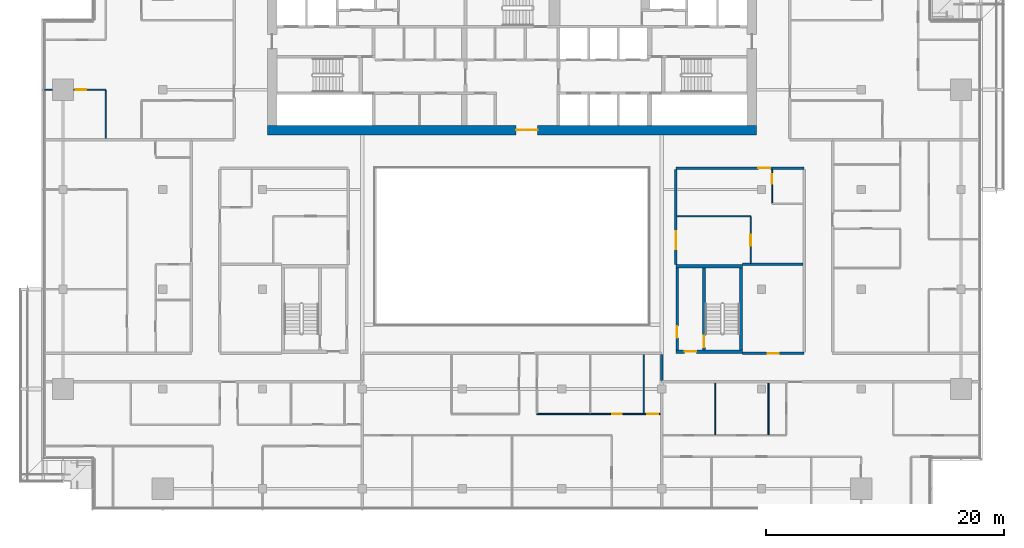
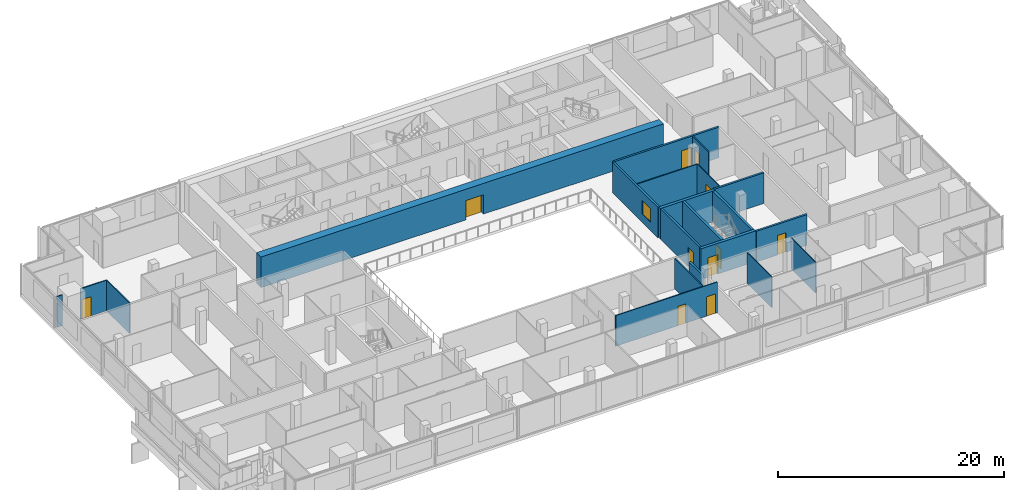
# One storey, part 18 of 29: 21 walls, 11 doors, 1 window, 12 openings.
"""IFC4 building model written with IfcOpenShell, lengths in metres."""

from ifc_helpers import new_model, si_unit, direction, frame, frame_2d, origin, place, context, subcontext, project, spatial, rectangle, extrude, material, layer, layer_set, type_object, element, fill, save


model = new_model("IFC4")

# Units and contexts
model_context = context("Model", 3, precision=1e-05, world=origin(), true_north=direction((0.0, 1.0)))
body_context = subcontext(model_context, "Body", "Model", "MODEL_VIEW")
ifc_project = project(units=[si_unit("LENGTHUNIT", "METRE"), si_unit("AREAUNIT", "SQUARE_METRE"), si_unit("VOLUMEUNIT", "CUBIC_METRE"), si_unit("PLANEANGLEUNIT", "RADIAN"), si_unit("MASSUNIT", "GRAM", prefix="KILO")], contexts=[model_context])

# Site, building, storey
site_placement = place(None, origin())
site = spatial("IfcSite", under=ifc_project, at=site_placement, CompositionType="ELEMENT")
building_placement = place(site_placement, origin())
building = spatial("IfcBuilding", under=site, at=building_placement, Name="Saffron Gate Tower", CompositionType="ELEMENT")
storey_placement = place(building_placement, frame((0.0, 0.0, 187.050048828125)))
storey = spatial("IfcBuildingStorey", under=building, at=storey_placement, Name="L46", CompositionType="ELEMENT", Elevation=187.050048828125)

# Wall, opening, door
ifc_material_1 = material(Name="Gypsum board partition on steel studs", Category="steel")
ifc_layer_1 = layer(ifc_material_1, 0.199951171875)
ifc_layer_set_1 = layer_set([ifc_layer_1], Name="CW10 Core partition 200")
wall_type_1 = type_object("IfcWallType", Name="CW10 Core partition 200", PredefinedType="PARTITIONING", material=ifc_layer_set_1)
wall_1_placement = place(storey_placement, frame((101.5, 43.5, 0.0), z_axis=(0.0, 0.0, 1.0), x_axis=(0.0, 1.0, 0.0)))
wall_1 = element("IfcWall", 1, at=wall_1_placement, inside=storey, type_object=wall_type_1, Name="Wall CW10-L46-E-2", PredefinedType="PARTITIONING", context=body_context, shape_type="SweptSolid", body=[
    extrude(rectangle(XDim=6.89990234375, YDim=0.199951171875, at=frame_2d((3.449951171875, 0.0))), origin(), (0.0, 0.0, 1.0), 3.320068359375),
])
opening_1_placement = place(wall_1_placement, frame((1.0, 0.0, 0.0)))
opening_1 = element("IfcOpeningElement", 2, at=opening_1_placement, cuts=wall_1, Name="Opening CR-22", PredefinedType="OPENING", context=body_context, shape_type="SweptSolid", body=[
    extrude(rectangle(XDim=1.0, YDim=2.10009765625, at=frame_2d((0.5, 1.050048828125))), frame((0.0, 0.10986328125, 0.0), z_axis=(0.0, -1.0, 0.0), x_axis=(1.0, 0.0, 0.0)), (0.0, 0.0, 1.0), 0.219970703125),
])
ifc_material_2 = material(Name="Steel fire door set", Category="steel")
door_type_1 = type_object("IfcDoorType", Name="CD4 Lobby door 1000x2100 EI 120", OperationType="NOTDEFINED", PredefinedType="DOOR", material=ifc_material_2)
door_1_placement = place(opening_1_placement, origin())
door_1 = element("IfcDoor", 3, at=door_1_placement, inside=storey, type_object=door_type_1, Name="DOOR CR-22", OperationType="SINGLE_SWING_LEFT", OverallHeight=2.10009765625, OverallWidth=1.0, PredefinedType="DOOR", context=body_context, shape_type="SweptSolid", body=[
    extrude(rectangle(XDim=1.0, YDim=2.10009765625, at=frame_2d((0.5, 1.050048828125))), frame((0.0, 0.02490234375, 0.0), z_axis=(0.0, -1.0, 0.0), x_axis=(1.0, 0.0, 0.0)), (0.0, 0.0, 1.0), 0.050048828125),
])
fill(opening_1, door_1)

ifc_material_3 = material(Name="Concrete C60", Category="concrete")
ifc_layer_2 = layer(ifc_material_3, 0.800048828125)
ifc_layer_set_2 = layer_set([ifc_layer_2], Name="CW13 RC core wall 800 C60")
wall_type_2 = type_object("IfcWallType", Name="CW13 RC core wall 800 C60", PredefinedType="SOLIDWALL", material=ifc_layer_set_2)
wall_2_placement = place(storey_placement, frame((67.0, 62.0, 0.0), z_axis=(0.0, 0.0, 1.0), x_axis=(1.0, 0.0, 0.0)))
wall_2 = element("IfcWall", 4, at=wall_2_placement, inside=storey, type_object=wall_type_2, Name="Wall CW13-L46-1", PredefinedType="SOLIDWALL", context=body_context, shape_type="SweptSolid", body=[
    extrude(rectangle(XDim=41.199951171875, YDim=0.800048828125, at=frame_2d((20.60009765625, 0.0))), origin(), (0.0, 0.0, 1.0), 3.320068359375),
])
opening_2_placement = place(wall_2_placement, frame((20.949951171875, 0.0, 0.0)))
opening_2 = element("IfcOpeningElement", 5, at=opening_2_placement, cuts=wall_2, Name="Opening CR-09", PredefinedType="OPENING", context=body_context, shape_type="SweptSolid", body=[
    extrude(rectangle(XDim=1.800048828125, YDim=2.10009765625, at=frame_2d((0.89990234375, 1.050048828125))), frame((0.0, 0.41015625, 0.0), z_axis=(0.0, -1.0, 0.0), x_axis=(1.0, 0.0, 0.0)), (0.0, 0.0, 1.0), 0.820068359375),
])
door_type_2 = type_object("IfcDoorType", Name="CD1 Core entrance door 1800x2100 EI 120", OperationType="NOTDEFINED", PredefinedType="DOOR", material=ifc_material_2)
door_2_placement = place(opening_2_placement, origin())
door_2 = element("IfcDoor", 6, at=door_2_placement, inside=storey, type_object=door_type_2, Name="DOOR CR-09", OperationType="DOUBLE_DOOR_SINGLE_SWING", OverallHeight=2.10009765625, OverallWidth=1.800048828125, PredefinedType="DOOR", context=body_context, shape_type="SweptSolid", body=[
    extrude(rectangle(XDim=1.800048828125, YDim=2.10009765625, at=frame_2d((0.89990234375, 1.050048828125))), frame((0.0, 0.02490234375, 0.0), z_axis=(0.0, -1.0, 0.0), x_axis=(1.0, 0.0, 0.0)), (0.0, 0.0, 1.0), 0.050048828125),
])
fill(opening_2, door_2)

ifc_layer_3 = layer(ifc_material_3, 0.25)
ifc_layer_set_3 = layer_set([ifc_layer_3], Name="CW14 RC core wall 250 C60")
wall_type_3 = type_object("IfcWallType", Name="CW14 RC core wall 250 C60", PredefinedType="SOLIDWALL", material=ifc_layer_set_3)
wall_3_placement = place(storey_placement, frame((103.77490234375, 43.5, 0.0), z_axis=(0.0, 0.0, 1.0), x_axis=(0.0, 1.0, 0.0)))
wall_3 = element("IfcWall", 7, at=wall_3_placement, inside=storey, type_object=wall_type_3, Name="Wall CW14-L46-E-3", PredefinedType="SOLIDWALL", context=body_context, shape_type="SweptSolid", body=[
    extrude(rectangle(XDim=6.89990234375, YDim=0.25, at=frame_2d((3.449951171875, 0.0))), origin(), (0.0, 0.0, 1.0), 3.320068359375),
])
opening_3_placement = place(wall_3_placement, frame((0.199951171875, 0.0, 0.0)))
opening_3 = element("IfcOpeningElement", 8, at=opening_3_placement, cuts=wall_3, Name="Opening CR-23", PredefinedType="OPENING", context=body_context, shape_type="SweptSolid", body=[
    extrude(rectangle(XDim=1.0, YDim=2.10009765625, at=frame_2d((0.5, 1.050048828125))), frame((0.0, 0.135009765625, 0.0), z_axis=(0.0, -1.0, 0.0), x_axis=(1.0, 0.0, 0.0)), (0.0, 0.0, 1.0), 0.27001953125),
])
door_type_3 = type_object("IfcDoorType", Name="CD5 Stair door 1000x2100 EI 120", OperationType="NOTDEFINED", PredefinedType="DOOR", material=ifc_material_2)
door_3_placement = place(opening_3_placement, origin())
door_3 = element("IfcDoor", 9, at=door_3_placement, inside=storey, type_object=door_type_3, Name="DOOR CR-23", OperationType="SINGLE_SWING_RIGHT", OverallHeight=2.10009765625, OverallWidth=1.0, PredefinedType="DOOR", context=body_context, shape_type="SweptSolid", body=[
    extrude(rectangle(XDim=1.0, YDim=2.10009765625, at=frame_2d((0.5, 1.050048828125))), frame((0.0, 0.02490234375, 0.0), z_axis=(0.0, -1.0, 0.0), x_axis=(1.0, 0.0, 0.0)), (0.0, 0.0, 1.0), 0.050048828125),
])
fill(opening_3, door_3)

# Wall
wall_4_placement = place(storey_placement, frame((106.875, 43.5, 0.0), z_axis=(0.0, 0.0, 1.0), x_axis=(0.0, 1.0, 0.0)))
element("IfcWall", 10, at=wall_4_placement, inside=storey, type_object=wall_type_3, Name="Wall CW14-L46-E-4", PredefinedType="SOLIDWALL", context=body_context, shape_type="SweptSolid", body=[
    extrude(rectangle(XDim=6.89990234375, YDim=0.25, at=frame_2d((3.449951171875, 0.0))), origin(), (0.0, 0.0, 1.0), 3.320068359375),
])

# Wall, opening, door
ifc_layer_4 = layer(ifc_material_3, 0.300048828125)
ifc_layer_set_4 = layer_set([ifc_layer_4], Name="CW17 RC core wall 300 C60")
wall_type_4 = type_object("IfcWallType", Name="CW17 RC core wall 300 C60", PredefinedType="SOLIDWALL", material=ifc_layer_set_4)
wall_5_placement = place(storey_placement, frame((101.39990234375, 43.35009765625, 0.0), z_axis=(0.0, 0.0, 1.0), x_axis=(1.0, 0.0, 0.0)))
wall_5 = element("IfcWall", 11, at=wall_5_placement, inside=storey, type_object=wall_type_4, Name="Wall CW17-L46-E-1", PredefinedType="SOLIDWALL", context=body_context, shape_type="SweptSolid", body=[
    extrude(rectangle(XDim=5.60009765625, YDim=0.300048828125, at=frame_2d((2.800048828125, 0.0))), origin(), (0.0, 0.0, 1.0), 3.320068359375),
])
opening_4_placement = place(wall_5_placement, frame((0.72509765625, 0.0, 0.0)))
opening_4 = element("IfcOpeningElement", 12, at=opening_4_placement, cuts=wall_5, Name="Opening CR-21", PredefinedType="OPENING", context=body_context, shape_type="SweptSolid", body=[
    extrude(rectangle(XDim=1.0, YDim=2.10009765625, at=frame_2d((0.5, 1.050048828125))), frame((0.0, 0.16015625, 0.0), z_axis=(0.0, -1.0, 0.0), x_axis=(1.0, 0.0, 0.0)), (0.0, 0.0, 1.0), 0.320068359375),
])
door_4_placement = place(opening_4_placement, origin())
door_4 = element("IfcDoor", 13, at=door_4_placement, inside=storey, type_object=door_type_1, Name="DOOR CR-21", OperationType="SINGLE_SWING_RIGHT", OverallHeight=2.10009765625, OverallWidth=1.0, PredefinedType="DOOR", context=body_context, shape_type="SweptSolid", body=[
    extrude(rectangle(XDim=1.0, YDim=2.10009765625, at=frame_2d((0.5, 1.050048828125))), frame((0.0, 0.02490234375, 0.0), z_axis=(0.0, -1.0, 0.0), x_axis=(1.0, 0.0, 0.0)), (0.0, 0.0, 1.0), 0.050048828125),
])
fill(opening_4, door_4)

# Wall
wall_6_placement = place(storey_placement, frame((101.39990234375, 50.550048828125, 0.0), z_axis=(0.0, 0.0, 1.0), x_axis=(1.0, 0.0, 0.0)))
element("IfcWall", 14, at=wall_6_placement, inside=storey, type_object=wall_type_4, Name="Wall CW17-L46-E-5", PredefinedType="SOLIDWALL", context=body_context, shape_type="SweptSolid", body=[
    extrude(rectangle(XDim=5.60009765625, YDim=0.300048828125, at=frame_2d((2.800048828125, 0.0))), origin(), (0.0, 0.0, 1.0), 3.320068359375),
])

# Wall, openings, doors
ifc_material_4 = material(Name="Plasterboard on steel studs", Category="steel")
ifc_layer_5 = layer(ifc_material_4, 0.10009765625)
ifc_layer_set_5 = layer_set([ifc_layer_5], Name="PW1 Partition 100")
wall_type_5 = type_object("IfcWallType", Name="PW1 Partition 100", PredefinedType="PARTITIONING", material=ifc_layer_set_5)
wall_7_placement = place(storey_placement, frame((89.699951171875, 38.10009765625, 0.0), z_axis=(0.0, 0.0, 1.0), x_axis=(1.0, 0.0, 0.0)))
wall_7 = element("IfcWall", 15, at=wall_7_placement, inside=storey, type_object=wall_type_5, Name="Partition C4-11", PredefinedType="PARTITIONING", context=body_context, shape_type="SweptSolid", body=[
    extrude(rectangle(XDim=10.400146484375, YDim=0.10009765625, at=frame_2d((5.2001953125, 0.0))), origin(), (0.0, 0.0, 1.0), 3.320068359375),
])
opening_5_placement = place(wall_7_placement, frame((6.35009765625, 0.0, 0.0)))
opening_5 = element("IfcOpeningElement", 16, at=opening_5_placement, cuts=wall_7, Name="Opening C4-43", PredefinedType="OPENING", context=body_context, shape_type="SweptSolid", body=[
    extrude(rectangle(XDim=0.800048828125, YDim=2.10009765625, at=frame_2d((0.39990234375, 1.050048828125))), frame((0.0, 0.06005859375, 0.0), z_axis=(0.0, -1.0, 0.0), x_axis=(1.0, 0.0, 0.0)), (0.0, 0.0, 1.0), 0.1201171875),
])
opening_6_placement = place(wall_7_placement, frame((9.300048828125, 0.0, 0.0)))
opening_6 = element("IfcOpeningElement", 17, at=opening_6_placement, cuts=wall_7, Name="Opening C4-19", PredefinedType="OPENING", context=body_context, shape_type="SweptSolid", body=[
    extrude(rectangle(XDim=0.89990234375, YDim=2.10009765625, at=frame_2d((0.449951171875, 1.050048828125))), frame((0.0, 0.06005859375, 0.0), z_axis=(0.0, -1.0, 0.0), x_axis=(1.0, 0.0, 0.0)), (0.0, 0.0, 1.0), 0.1201171875),
])
ifc_material_5 = material(Name="Timber door set", Category="wood")
door_type_4 = type_object("IfcDoorType", Name="RD1 Room door 900x2100", OperationType="NOTDEFINED", PredefinedType="DOOR", material=ifc_material_5)
door_5_placement = place(opening_6_placement, origin())
door_5 = element("IfcDoor", 18, at=door_5_placement, inside=storey, type_object=door_type_4, Name="Door C4-19", OperationType="SINGLE_SWING_RIGHT", OverallHeight=2.10009765625, OverallWidth=0.89990234375, PredefinedType="DOOR", context=body_context, shape_type="SweptSolid", body=[
    extrude(rectangle(XDim=0.89990234375, YDim=2.10009765625, at=frame_2d((0.449951171875, 1.050048828125))), frame((0.0, 0.02490234375, 0.0), z_axis=(0.0, -1.0, 0.0), x_axis=(1.0, 0.0, 0.0)), (0.0, 0.0, 1.0), 0.050048828125),
])
fill(opening_6, door_5)
door_type_5 = type_object("IfcDoorType", Name="RD2 Bathroom door 800x2100", OperationType="NOTDEFINED", PredefinedType="DOOR", material=ifc_material_5)
door_6_placement = place(opening_5_placement, origin())
door_6 = element("IfcDoor", 19, at=door_6_placement, inside=storey, type_object=door_type_5, Name="Door C4-43", OperationType="SINGLE_SWING_LEFT", OverallHeight=2.10009765625, OverallWidth=0.800048828125, PredefinedType="DOOR", context=body_context, shape_type="SweptSolid", body=[
    extrude(rectangle(XDim=0.800048828125, YDim=2.10009765625, at=frame_2d((0.39990234375, 1.050048828125))), frame((0.0, 0.02490234375, 0.0), z_axis=(0.0, -1.0, 0.0), x_axis=(1.0, 0.0, 0.0)), (0.0, 0.0, 1.0), 0.050048828125),
])
fill(opening_5, door_6)

# Walls
wall_8_placement = place(storey_placement, frame((101.5, 54.75, 0.0), z_axis=(0.0, 0.0, 1.0), x_axis=(1.0, 0.0, 0.0)))
element("IfcWall", 20, at=wall_8_placement, inside=storey, type_object=wall_type_5, Name="Partition C4-33", PredefinedType="PARTITIONING", context=body_context, shape_type="SweptSolid", body=[
    extrude(rectangle(XDim=6.199951171875, YDim=0.10009765625, at=frame_2d((3.10009765625, 0.0))), origin(), (0.0, 0.0, 1.0), 3.320068359375),
])
wall_9_placement = place(storey_placement, frame((48.280029296875, 65.39990234375, 0.0), z_axis=(0.0, 0.0, 1.0), x_axis=(1.0, 0.0, 0.0)))
element("IfcWall", 21, at=wall_9_placement, inside=storey, type_object=wall_type_5, Name="Partition C4-49", PredefinedType="PARTITIONING", context=body_context, shape_type="SweptSolid", body=[
    extrude(rectangle(XDim=0.599853515625, YDim=0.10009765625, at=frame_2d((0.2998046875, 0.0))), origin(), (0.0, 0.0, 1.0), 3.320068359375),
])

# Wall, opening, door
wall_10_placement = place(storey_placement, frame((53.39990234375, 65.39990234375, 0.0), z_axis=(0.0, 0.0, 1.0), x_axis=(-1.0, 0.0, 0.0)))
wall_10 = element("IfcWall", 22, at=wall_10_placement, inside=storey, type_object=wall_type_5, Name="Partition C4-50", PredefinedType="PARTITIONING", context=body_context, shape_type="SweptSolid", body=[
    extrude(rectangle(XDim=2.679931640625, YDim=0.10009765625, at=frame_2d((1.33984375, 0.0))), origin(), (0.0, 0.0, 1.0), 3.320068359375),
])
opening_7_placement = place(wall_10_placement, frame((1.6298828125, 0.0, 0.0)))
opening_7 = element("IfcOpeningElement", 23, at=opening_7_placement, cuts=wall_10, Name="Opening C4-29", PredefinedType="OPENING", context=body_context, shape_type="SweptSolid", body=[
    extrude(rectangle(XDim=0.89990234375, YDim=2.10009765625, at=frame_2d((0.449951171875, 1.050048828125))), frame((0.0, 0.06005859375, 0.0), z_axis=(0.0, -1.0, 0.0), x_axis=(1.0, 0.0, 0.0)), (0.0, 0.0, 1.0), 0.1201171875),
])
door_7_placement = place(opening_7_placement, origin())
door_7 = element("IfcDoor", 24, at=door_7_placement, inside=storey, type_object=door_type_4, Name="Door C4-29", OperationType="SINGLE_SWING_RIGHT", OverallHeight=2.10009765625, OverallWidth=0.89990234375, PredefinedType="DOOR", context=body_context, shape_type="SweptSolid", body=[
    extrude(rectangle(XDim=0.89990234375, YDim=2.10009765625, at=frame_2d((0.449951171875, 1.050048828125))), frame((0.0, 0.02490234375, 0.0), z_axis=(0.0, -1.0, 0.0), x_axis=(1.0, 0.0, 0.0)), (0.0, 0.0, 1.0), 0.050048828125),
])
fill(opening_7, door_7)

# Walls
wall_11_placement = place(storey_placement, frame((53.39990234375, 65.35009765625, 0.0), z_axis=(0.0, 0.0, 1.0), x_axis=(0.0, -1.0, 0.0)))
element("IfcWall", 25, at=wall_11_placement, inside=storey, type_object=wall_type_5, Name="Partition C4-57", PredefinedType="PARTITIONING", context=body_context, shape_type="SweptSolid", body=[
    extrude(rectangle(XDim=4.050048828125, YDim=0.10009765625, at=frame_2d((2.02490234375, 0.0))), origin(), (0.0, 0.0, 1.0), 3.320068359375),
])
wall_12_placement = place(storey_placement, frame((98.699951171875, 43.10009765625, 0.0), z_axis=(0.0, 0.0, 1.0), x_axis=(0.0, -1.0, 0.0)))
element("IfcWall", 26, at=wall_12_placement, inside=storey, type_object=wall_type_5, Name="Partition C4-89", PredefinedType="PARTITIONING", context=body_context, shape_type="SweptSolid", body=[
    extrude(rectangle(XDim=4.9501953125, YDim=0.10009765625, at=frame_2d((2.47509765625, 0.0))), origin(), (0.0, 0.0, 1.0), 3.320068359375),
])
wall_13_placement = place(storey_placement, frame((104.699951171875, 40.699951171875, 0.0), z_axis=(0.0, 0.0, 1.0), x_axis=(0.0, -1.0, 0.0)))
element("IfcWall", 27, at=wall_13_placement, inside=storey, type_object=wall_type_5, Name="Partition C4-95", PredefinedType="PARTITIONING", context=body_context, shape_type="SweptSolid", body=[
    extrude(rectangle(XDim=4.349853515625, YDim=0.10009765625, at=frame_2d((2.1748046875, 0.0))), origin(), (0.0, 0.0, 1.0), 3.320068359375),
])

# Wall, opening, door
wall_14_placement = place(storey_placement, frame((107.699951171875, 50.800048828125, 0.0), z_axis=(0.0, 0.0, 1.0), x_axis=(0.0, 1.0, 0.0)))
wall_14 = element("IfcWall", 28, at=wall_14_placement, inside=storey, type_object=wall_type_5, Name="Partition C4-96", PredefinedType="PARTITIONING", context=body_context, shape_type="SweptSolid", body=[
    extrude(rectangle(XDim=3.89990234375, YDim=0.10009765625, at=frame_2d((1.949951171875, 0.0))), origin(), (0.0, 0.0, 1.0), 3.320068359375),
])
opening_8_placement = place(wall_14_placement, frame((1.47509765625, 0.0, 0.0)))
opening_8 = element("IfcOpeningElement", 29, at=opening_8_placement, cuts=wall_14, Name="Opening C4-39", PredefinedType="OPENING", context=body_context, shape_type="SweptSolid", body=[
    extrude(rectangle(XDim=0.89990234375, YDim=2.10009765625, at=frame_2d((0.449951171875, 1.050048828125))), frame((0.0, 0.06005859375, 0.0), z_axis=(0.0, -1.0, 0.0), x_axis=(1.0, 0.0, 0.0)), (0.0, 0.0, 1.0), 0.1201171875),
])
door_8_placement = place(opening_8_placement, origin())
door_8 = element("IfcDoor", 30, at=door_8_placement, inside=storey, type_object=door_type_4, Name="Door C4-39", OperationType="SINGLE_SWING_LEFT", OverallHeight=2.10009765625, OverallWidth=0.89990234375, PredefinedType="DOOR", context=body_context, shape_type="SweptSolid", body=[
    extrude(rectangle(XDim=0.89990234375, YDim=2.10009765625, at=frame_2d((0.449951171875, 1.050048828125))), frame((0.0, 0.02490234375, 0.0), z_axis=(0.0, -1.0, 0.0), x_axis=(1.0, 0.0, 0.0)), (0.0, 0.0, 1.0), 0.050048828125),
])
fill(opening_8, door_8)

# Wall
wall_15_placement = place(storey_placement, frame((109.199951171875, 40.699951171875, 0.0), z_axis=(0.0, 0.0, 1.0), x_axis=(0.0, -1.0, 0.0)))
element("IfcWall", 31, at=wall_15_placement, inside=storey, type_object=wall_type_5, Name="Partition C4-97", PredefinedType="PARTITIONING", context=body_context, shape_type="SweptSolid", body=[
    extrude(rectangle(XDim=4.349853515625, YDim=0.10009765625, at=frame_2d((2.1748046875, 0.0))), origin(), (0.0, 0.0, 1.0), 3.320068359375),
])

# Wall, opening, door
wall_16_placement = place(storey_placement, frame((109.5, 58.699951171875, 0.0), z_axis=(0.0, 0.0, 1.0), x_axis=(0.0, -1.0, 0.0)))
wall_16 = element("IfcWall", 32, at=wall_16_placement, inside=storey, type_object=wall_type_5, Name="Partition C4-98", PredefinedType="PARTITIONING", context=body_context, shape_type="SweptSolid", body=[
    extrude(rectangle(XDim=2.849853515625, YDim=0.10009765625, at=frame_2d((1.4248046875, 0.0))), origin(), (0.0, 0.0, 1.0), 3.320068359375),
])
opening_9_placement = place(wall_16_placement, frame((0.39990234375, 0.0, 0.0)))
opening_9 = element("IfcOpeningElement", 33, at=opening_9_placement, cuts=wall_16, Name="Opening C4-53", PredefinedType="OPENING", context=body_context, shape_type="SweptSolid", body=[
    extrude(rectangle(XDim=0.800048828125, YDim=2.10009765625, at=frame_2d((0.39990234375, 1.050048828125))), frame((0.0, 0.06005859375, 0.0), z_axis=(0.0, -1.0, 0.0), x_axis=(1.0, 0.0, 0.0)), (0.0, 0.0, 1.0), 0.1201171875),
])
door_9_placement = place(opening_9_placement, origin())
door_9 = element("IfcDoor", 34, at=door_9_placement, inside=storey, type_object=door_type_5, Name="Door C4-53", OperationType="SINGLE_SWING_LEFT", OverallHeight=2.10009765625, OverallWidth=0.800048828125, PredefinedType="DOOR", context=body_context, shape_type="SweptSolid", body=[
    extrude(rectangle(XDim=0.800048828125, YDim=2.10009765625, at=frame_2d((0.39990234375, 1.050048828125))), frame((0.0, 0.02490234375, 0.0), z_axis=(0.0, -1.0, 0.0), x_axis=(1.0, 0.0, 0.0)), (0.0, 0.0, 1.0), 0.050048828125),
])
fill(opening_9, door_9)

# Wall
ifc_material_6 = material(Name="Clay brick masonry, rendered", Category="masonry")
ifc_layer_6 = layer(ifc_material_6, 0.199951171875)
ifc_layer_set_6 = layer_set([ifc_layer_6], Name="PW2 Demising wall 200")
wall_type_6 = type_object("IfcWallType", Name="PW2 Demising wall 200", PredefinedType="PARTITIONING", material=ifc_layer_set_6)
wall_17_placement = place(storey_placement, frame((107.0, 50.699951171875, 0.0), z_axis=(0.0, 0.0, 1.0), x_axis=(1.0, 0.0, 0.0)))
element("IfcWall", 35, at=wall_17_placement, inside=storey, type_object=wall_type_6, Name="Wall C4-28", PredefinedType="PARTITIONING", context=body_context, shape_type="SweptSolid", body=[
    extrude(rectangle(XDim=5.10009765625, YDim=0.199951171875, at=frame_2d((2.550048828125, 0.0))), origin(), (0.0, 0.0, 1.0), 3.320068359375),
])

# Wall, opening, door
ifc_layer_7 = layer(ifc_material_6, 0.199951171875)
ifc_layer_set_7 = layer_set([ifc_layer_7], Name="PW3 Corridor wall 200")
wall_type_7 = type_object("IfcWallType", Name="PW3 Corridor wall 200", PredefinedType="PARTITIONING", material=ifc_layer_set_7)
wall_18_placement = place(storey_placement, frame((107.0, 43.199951171875, 0.0), z_axis=(0.0, 0.0, 1.0), x_axis=(1.0, 0.0, 0.0)))
wall_18 = element("IfcWall", 36, at=wall_18_placement, inside=storey, type_object=wall_type_7, Name="Wall C4-19", PredefinedType="PARTITIONING", context=body_context, shape_type="SweptSolid", body=[
    extrude(rectangle(XDim=5.199951171875, YDim=0.199951171875, at=frame_2d((2.60009765625, 0.0))), origin(), (0.0, 0.0, 1.0), 3.320068359375),
])
opening_10_placement = place(wall_18_placement, frame((2.14990234375, 0.0, 0.0)))
opening_10 = element("IfcOpeningElement", 37, at=opening_10_placement, cuts=wall_18, Name="Opening C4-54", PredefinedType="OPENING", context=body_context, shape_type="SweptSolid", body=[
    extrude(rectangle(XDim=0.89990234375, YDim=2.10009765625, at=frame_2d((0.449951171875, 1.050048828125))), frame((0.0, 0.10986328125, 0.0), z_axis=(0.0, -1.0, 0.0), x_axis=(1.0, 0.0, 0.0)), (0.0, 0.0, 1.0), 0.219970703125),
])
door_type_6 = type_object("IfcDoorType", Name="SD1 Service door 900x2100", OperationType="NOTDEFINED", PredefinedType="DOOR", material=ifc_material_2)
door_10_placement = place(opening_10_placement, origin())
door_10 = element("IfcDoor", 38, at=door_10_placement, inside=storey, type_object=door_type_6, Name="Door C4-54", OperationType="SINGLE_SWING_LEFT", OverallHeight=2.10009765625, OverallWidth=0.89990234375, PredefinedType="DOOR", context=body_context, shape_type="SweptSolid", body=[
    extrude(rectangle(XDim=0.89990234375, YDim=2.10009765625, at=frame_2d((0.449951171875, 1.050048828125))), frame((0.0, 0.02490234375, 0.0), z_axis=(0.0, -1.0, 0.0), x_axis=(1.0, 0.0, 0.0)), (0.0, 0.0, 1.0), 0.050048828125),
])
fill(opening_10, door_10)

wall_19_placement = place(storey_placement, frame((112.199951171875, 58.800048828125, 0.0), z_axis=(0.0, 0.0, 1.0), x_axis=(-1.0, 0.0, 0.0)))
wall_19 = element("IfcWall", 39, at=wall_19_placement, inside=storey, type_object=wall_type_7, Name="Wall C4-40", PredefinedType="PARTITIONING", context=body_context, shape_type="SweptSolid", body=[
    extrude(rectangle(XDim=10.800048828125, YDim=0.199951171875, at=frame_2d((5.39990234375, 0.0))), origin(), (0.0, 0.0, 1.0), 3.320068359375),
])
opening_11_placement = place(wall_19_placement, frame((2.85009765625, 0.0, 0.0)))
opening_11 = element("IfcOpeningElement", 40, at=opening_11_placement, cuts=wall_19, Name="Opening C4-9", PredefinedType="OPENING", context=body_context, shape_type="SweptSolid", body=[
    extrude(rectangle(XDim=1.0, YDim=2.10009765625, at=frame_2d((0.5, 1.050048828125))), frame((0.0, 0.10986328125, 0.0), z_axis=(0.0, -1.0, 0.0), x_axis=(1.0, 0.0, 0.0)), (0.0, 0.0, 1.0), 0.219970703125),
])
ifc_material_7 = material(Name="Timber fire door set", Category="wood")
door_type_7 = type_object("IfcDoorType", Name="FD1 Flat entry door 1000x2100", OperationType="NOTDEFINED", PredefinedType="DOOR", material=ifc_material_7)
door_11_placement = place(opening_11_placement, origin())
door_11 = element("IfcDoor", 41, at=door_11_placement, inside=storey, type_object=door_type_7, Name="Door C4-9", OperationType="SINGLE_SWING_LEFT", OverallHeight=2.10009765625, OverallWidth=1.0, PredefinedType="DOOR", context=body_context, shape_type="SweptSolid", body=[
    extrude(rectangle(XDim=1.0, YDim=2.10009765625, at=frame_2d((0.5, 1.050048828125))), frame((0.0, 0.02490234375, 0.0), z_axis=(0.0, -1.0, 0.0), x_axis=(1.0, 0.0, 0.0)), (0.0, 0.0, 1.0), 0.050048828125),
])
fill(opening_11, door_11)

# Wall
wall_20_placement = place(storey_placement, frame((100.199951171875, 43.10009765625, 0.0), z_axis=(0.0, 0.0, 1.0), x_axis=(0.0, -1.0, 0.0)))
element("IfcWall", 42, at=wall_20_placement, inside=storey, type_object=wall_type_7, Name="Wall C4-90", PredefinedType="PARTITIONING", context=body_context, shape_type="SweptSolid", body=[
    extrude(rectangle(XDim=2.2001953125, YDim=0.199951171875, at=frame_2d((1.10009765625, 0.0))), origin(), (0.0, 0.0, 1.0), 2.429931640625),
])

# Wall, opening, window
wall_21_placement = place(storey_placement, frame((101.39990234375, 58.699951171875, 0.0), z_axis=(0.0, 0.0, 1.0), x_axis=(0.0, -1.0, 0.0)))
wall_21 = element("IfcWall", 43, at=wall_21_placement, inside=storey, type_object=wall_type_7, Name="Wall C4-93", PredefinedType="PARTITIONING", context=body_context, shape_type="SweptSolid", body=[
    extrude(rectangle(XDim=8.0, YDim=0.199951171875, at=frame_2d((4.0, 0.0))), origin(), (0.0, 0.0, 1.0), 3.320068359375),
])
opening_12_placement = place(wall_21_placement, frame((5.22509765625, 0.0, 0.89990234375)))
opening_12 = element("IfcOpeningElement", 44, at=opening_12_placement, cuts=wall_21, Name="Opening GW1", PredefinedType="OPENING", context=body_context, shape_type="SweptSolid", body=[
    extrude(rectangle(XDim=1.5, YDim=1.5, at=frame_2d((0.75, 0.75))), frame((0.0, 0.10986328125, 0.0), z_axis=(0.0, -1.0, 0.0), x_axis=(1.0, 0.0, 0.0)), (0.0, 0.0, 1.0), 0.219970703125),
])
ifc_material_8 = material(Name="Fire-resisting laminated glass in steel frame", Category="steel")
ifc_layer_8 = layer(ifc_material_8, 0.06005859375)
ifc_layer_set_8 = layer_set([ifc_layer_8], Name="GW1 Gallery window 1500x1500")
window_type = type_object("IfcWindowType", Name="GW1 Gallery window 1500x1500", PartitioningType="SINGLE_PANEL", PredefinedType="WINDOW", material=ifc_layer_set_8)
window_placement = place(opening_12_placement, origin())
window = element("IfcWindow", 45, at=window_placement, inside=storey, type_object=window_type, Name="GW1 window C4-J-B1", OverallHeight=1.5, OverallWidth=1.5, PartitioningType="SINGLE_PANEL", PredefinedType="WINDOW", context=body_context, shape_type="SweptSolid", body=[
    extrude(rectangle(XDim=1.5, YDim=1.5, at=frame_2d((0.75, 0.75))), frame((0.0, 0.030029296875, 0.0), z_axis=(0.0, -1.0, 0.0), x_axis=(1.0, 0.0, 0.0)), (0.0, 0.0, 1.0), 0.06005859375),
])
fill(opening_12, window)

save(model, "model.ifc")
